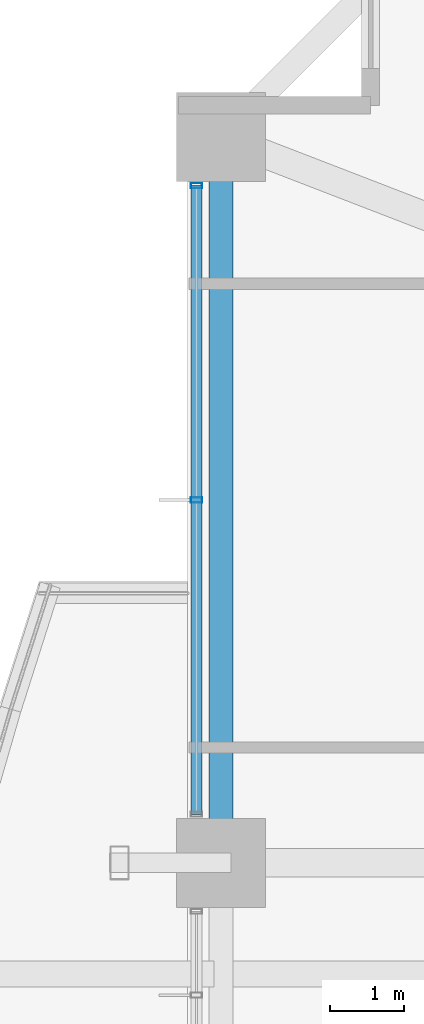
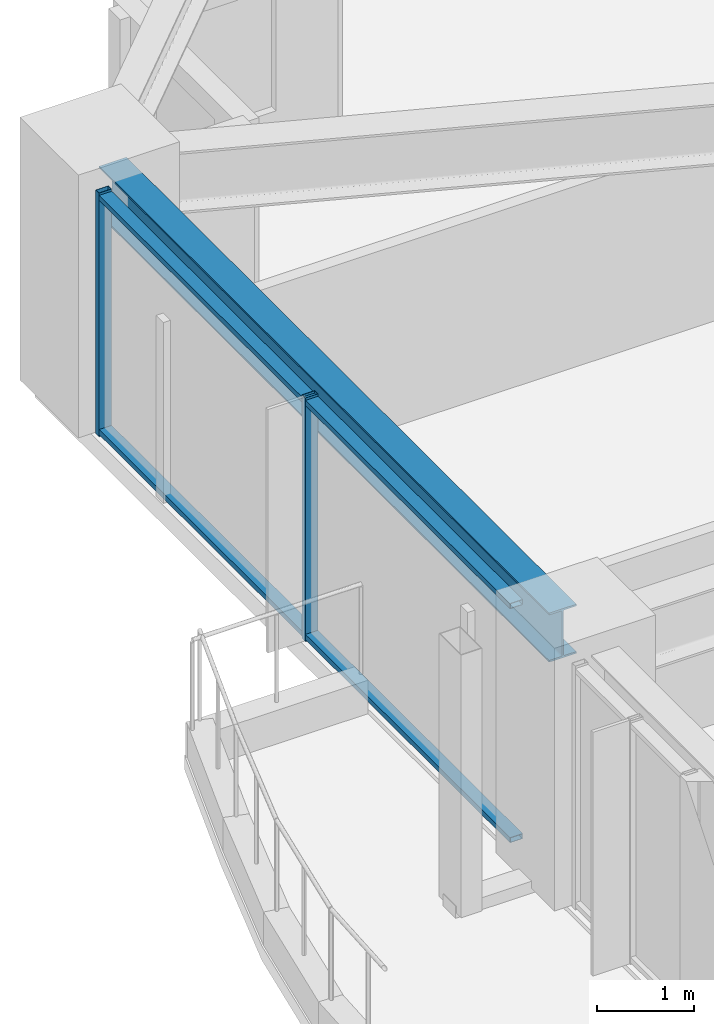
# One storey, part 19 of 38: 4 members, 1 beam, 1 element without a shape of its own.
"""IFC4 building model written with IfcOpenShell, lengths in metres."""

from ifc_helpers import new_model, si_unit, direction, frame, origin, origin_2d, place, context, subcontext, project, spatial, hollow_rectangle, i_section, extrude, material, material_profile, profile_set, type_object, element, aggregate, save


model = new_model("IFC4")

# Units and contexts
model_context = context("Model", 3, precision=1e-05, world=origin(), true_north=direction((0.0, 1.0)))
body_context = subcontext(model_context, "Body", "Model", "MODEL_VIEW")
ifc_project = project(units=[si_unit("LENGTHUNIT", "METRE"), si_unit("AREAUNIT", "SQUARE_METRE"), si_unit("VOLUMEUNIT", "CUBIC_METRE"), si_unit("PLANEANGLEUNIT", "RADIAN"), si_unit("MASSUNIT", "GRAM", prefix="KILO")], contexts=[model_context])

# Site, building, storey
site_placement = place(None, origin())
site = spatial("IfcSite", under=ifc_project, at=site_placement, CompositionType="ELEMENT")
building_placement = place(site_placement, origin())
building = spatial("IfcBuilding", under=site, at=building_placement, Name="Kolvaren Belvedere", CompositionType="ELEMENT")
storey_placement = place(building_placement, frame((0.0, 0.0, 53.5)))
storey = spatial("IfcBuildingStorey", under=building, at=storey_placement, Name="L15", CompositionType="ELEMENT", Elevation=53.5)

# Beam
ifc_material_1 = material(Name="Structural steel ASTM A992 Grade 50", Category="steel")
ifc_material_profile_1 = material_profile(ifc_material_1, i_section(OverallWidth=0.324951171875, OverallDepth=0.615966796875, WebThickness=0.013916015625, FlangeThickness=0.021484375, FilletRadius=0.02001953125, at=origin_2d()), Name="W24X117")
ifc_profile_set_1 = profile_set([ifc_material_profile_1], Name="Structural steel ASTM A992 Grade 50")
beam_type = type_object("IfcBeamType", Name="BM-SPAN-W24X117", PredefinedType="SPANDREL", material=ifc_profile_set_1)
beam_placement = place(storey_placement, frame((-21.550048828125, 14.1298828125, 2.751953125), z_axis=(0.0, -1.0, 0.0), x_axis=(1.0, 0.0, 0.0)))
element("IfcBeam", 1, at=beam_placement, inside=storey, type_object=beam_type, Name="L15 Perimeter Spandrel W4-W3", PredefinedType="SPANDREL", context=body_context, shape_type="SweptSolid", body=[
    extrude(i_section(OverallWidth=0.324951171875, OverallDepth=0.615966796875, WebThickness=0.013916015625, FlangeThickness=0.021484375, FilletRadius=0.02001953125, at=origin_2d()), origin(), (0.0, 0.0, 1.0), 9.259765625),
])

# Curtain wall, members
ifc_material_2 = material(Name="Anodised pale-metal aluminium AA 6063-T6", Category="aluminium")
curtain_wall_type = type_object("IfcCurtainWallType", Name="CW-Z1-LOW", PredefinedType="NOTDEFINED", material=ifc_material_2)
curtain_wall_placement = place(storey_placement, origin())
curtain_wall = element("IfcCurtainWall", 2, at=curtain_wall_placement, inside=storey, type_object=curtain_wall_type, Name="L15 Unitised Curtain Wall FCW-L15-W2-B2", PredefinedType="NOTDEFINED")
ifc_material_3 = material(Name="Anodised pale-metal aluminium AA 6063-T6", Category="aluminium")
ifc_material_profile_2 = material_profile(ifc_material_3, hollow_rectangle(XDim=0.070068359375, YDim=0.14990234375, WallThickness=0.004150390625, at=origin_2d()), Name="ALU-MUL-150X70")
ifc_profile_set_2 = profile_set([ifc_material_profile_2], Name="Anodised pale-metal aluminium AA 6063-T6")
member_type_1 = type_object("IfcMemberType", Name="CW-MUL-150", PredefinedType="MULLION", material=ifc_profile_set_2)
member_1_placement = place(storey_placement, frame((-21.8798828125, 9.5, 0.0), z_axis=(0.0, 0.0, 1.0), x_axis=(0.0, 1.0, 0.0)))
member_1 = element("IfcMember", 3, at=member_1_placement, type_object=member_type_1, Name="FCW-L15-W2-B2 Unitised Mullion 2", PredefinedType="MULLION", context=body_context, shape_type="SweptSolid", body=[
    extrude(hollow_rectangle(XDim=0.070068359375, YDim=0.14990234375, WallThickness=0.004150390625, at=origin_2d()), origin(), (0.0, 0.0, 1.0), 3.06005859375),
])
member_2_placement = place(storey_placement, frame((-21.8798828125, 13.7451171875, 0.0), z_axis=(0.0, 0.0, 1.0), x_axis=(0.0, 1.0, 0.0)))
member_2 = element("IfcMember", 4, at=member_2_placement, type_object=member_type_1, Name="FCW-L15-W2-B2 Unitised Mullion 3", PredefinedType="MULLION", context=body_context, shape_type="SweptSolid", body=[
    extrude(hollow_rectangle(XDim=0.070068359375, YDim=0.14990234375, WallThickness=0.004150390625, at=origin_2d()), origin(), (0.0, 0.0, 1.0), 3.06005859375),
])
ifc_material_4 = material(Name="Anodised pale-metal aluminium AA 6063-T6", Category="aluminium")
ifc_material_profile_3 = material_profile(ifc_material_4, hollow_rectangle(XDim=0.06494140625, YDim=0.14990234375, WallThickness=0.00390625, at=origin_2d()), Name="ALU-TRN-150X65")
ifc_profile_set_3 = profile_set([ifc_material_profile_3], Name="Anodised pale-metal aluminium AA 6063-T6")
member_type_2 = type_object("IfcMemberType", Name="CW-TRN-150", PredefinedType="USERDEFINED", material=ifc_profile_set_3)
member_3_placement = place(storey_placement, frame((-21.8798828125, 5.2548828125, 0.06005859375), z_axis=(0.0, 1.0, 0.0), x_axis=(0.0, 0.0, 1.0)))
member_3 = element("IfcMember", 5, at=member_3_placement, type_object=member_type_2, Name="FCW-L15-W2-B2 Sill Transom", ObjectType="TRANSOM", PredefinedType="USERDEFINED", context=body_context, shape_type="SweptSolid", body=[
    extrude(hollow_rectangle(XDim=0.06494140625, YDim=0.14990234375, WallThickness=0.00390625, at=origin_2d()), origin(), (0.0, 0.0, 1.0), 8.490234375),
])
member_4_placement = place(storey_placement, frame((-21.8798828125, 5.2548828125, 3.0), z_axis=(0.0, 1.0, 0.0), x_axis=(0.0, 0.0, 1.0)))
member_4 = element("IfcMember", 6, at=member_4_placement, type_object=member_type_2, Name="FCW-L15-W2-B2 Head Transom", ObjectType="TRANSOM", PredefinedType="USERDEFINED", context=body_context, shape_type="SweptSolid", body=[
    extrude(hollow_rectangle(XDim=0.06494140625, YDim=0.14990234375, WallThickness=0.00390625, at=origin_2d()), origin(), (0.0, 0.0, 1.0), 8.490234375),
])
aggregate(curtain_wall, [member_1, member_2, member_3, member_4])

save(model, "model.ifc")
